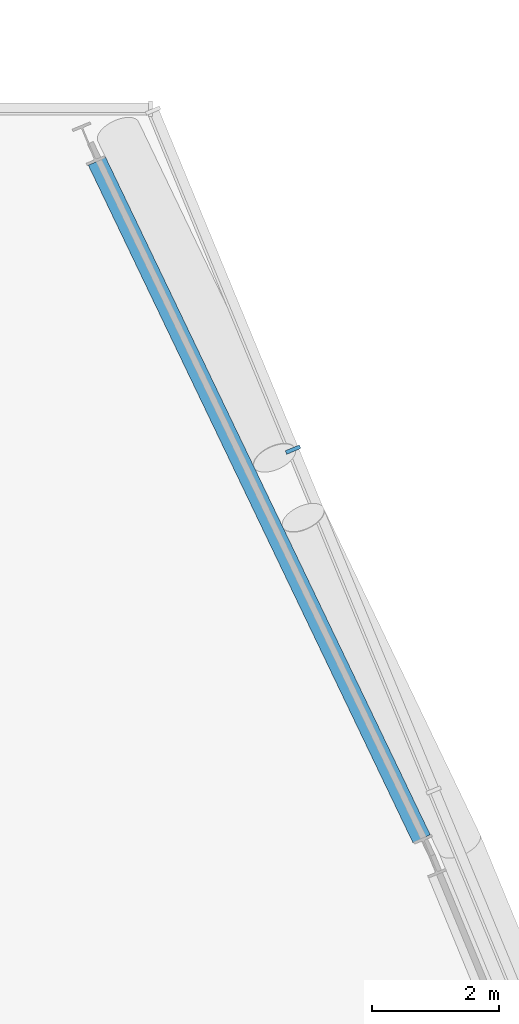
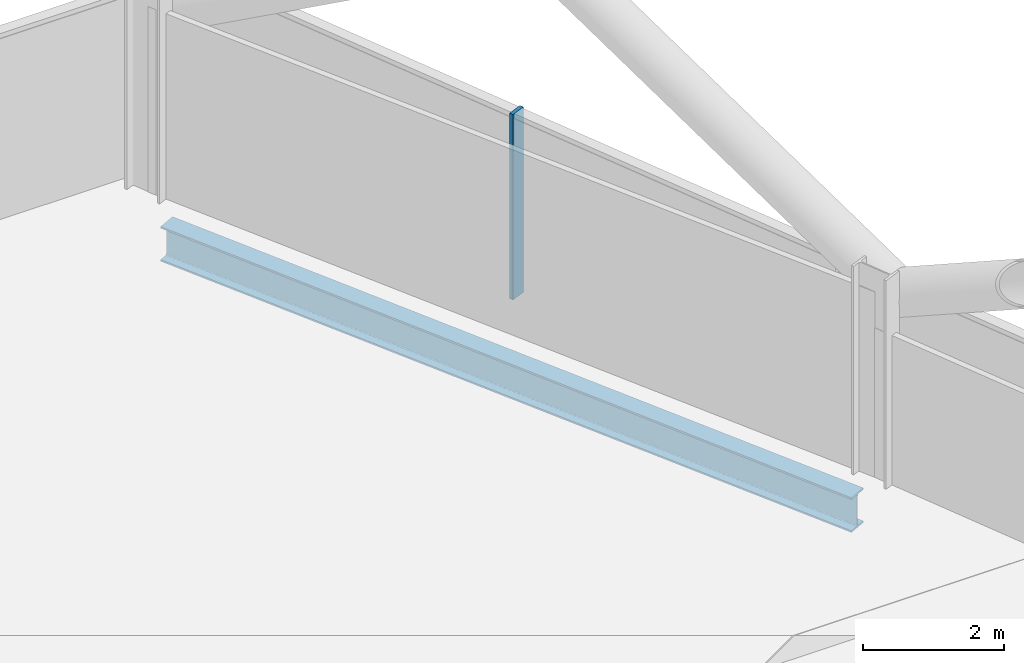
# One storey, part 12 of 26: 1 beam, 1 member, 1 element without a shape of its own.
"""IFC4 building model written with IfcOpenShell, lengths in metres."""

from ifc_helpers import new_model, si_unit, direction, frame, origin, origin_2d, place, context, subcontext, project, spatial, rectangle, i_section, extrude, material, material_profile, profile_set, type_object, element, aggregate, save


model = new_model("IFC4")

# Units and contexts
model_context = context("Model", 3, precision=1e-05, world=origin(), true_north=direction((0.0, 1.0)))
body_context = subcontext(model_context, "Body", "Model", "MODEL_VIEW")
ifc_project = project(units=[si_unit("LENGTHUNIT", "METRE"), si_unit("AREAUNIT", "SQUARE_METRE"), si_unit("VOLUMEUNIT", "CUBIC_METRE"), si_unit("PLANEANGLEUNIT", "RADIAN"), si_unit("MASSUNIT", "GRAM", prefix="KILO")], contexts=[model_context])

# Site, building, storey
site_placement = place(None, origin())
site = spatial("IfcSite", under=ifc_project, at=site_placement, CompositionType="ELEMENT")
building_placement = place(site_placement, origin())
building = spatial("IfcBuilding", under=site, at=building_placement, Name="Wharfspan Tower", CompositionType="ELEMENT")
storey_placement = place(building_placement, frame((0.0, 0.0, 184.300049)))
storey = spatial("IfcBuildingStorey", under=building, at=storey_placement, Name="L45", CompositionType="ELEMENT", Elevation=184.300049)

# Beam
ifc_material_1 = material(Name="Steel S355J2", Category="steel")
ifc_material_profile_1 = material_profile(ifc_material_1, i_section(OverallWidth=0.300049, OverallDepth=0.600098, WebThickness=0.015381, FlangeThickness=0.030029, FilletRadius=0.0271, at=origin_2d()))
ifc_profile_set_1 = profile_set([ifc_material_profile_1], Name="Steel S355J2")
beam_type = type_object("IfcBeamType", Name="Edge beam HEB 600", PredefinedType="SPANDREL", material=ifc_profile_set_1)
beam_placement = place(storey_placement, frame((73.721436, 30.495605, -0.699951), z_axis=(-0.432149, 0.901802, 0.0), x_axis=(-0.901802, -0.432149, 0.0)))
element("IfcBeam", 1, at=beam_placement, inside=storey, type_object=beam_type, Name="Edge beam L45 PE.2 to PE.3", PredefinedType="SPANDREL", context=body_context, shape_type="SweptSolid", body=[
    extrude(i_section(OverallWidth=0.300049, OverallDepth=0.600098, WebThickness=0.015381, FlangeThickness=0.030029, FilletRadius=0.0271, at=origin_2d()), origin(), (0.0, 0.0, 1.0), 11.841309),
])

# Curtain wall, member
ifc_material_2 = material(Name="Aluminium 6063-T6", Category="aluminium")
curtain_wall_type = type_object("IfcCurtainWallType", Name="CURTAIN WALL PROW AND END", PredefinedType="NOTDEFINED", material=ifc_material_2)
curtain_wall_placement = place(storey_placement, origin())
curtain_wall = element("IfcCurtainWall", 2, at=curtain_wall_placement, inside=storey, type_object=curtain_wall_type, Name="Curtain wall E", PredefinedType="NOTDEFINED")
ifc_material_profile_2 = material_profile(ifc_material_2, rectangle(XDim=0.23999, YDim=0.060059, at=origin_2d()))
ifc_profile_set_2 = profile_set([ifc_material_profile_2], Name="Aluminium 6063-T6")
member_type = type_object("IfcMemberType", Name="MULLION PROW AND END 60x240", PredefinedType="MULLION", material=ifc_profile_set_2)
member_placement = place(storey_placement, frame((71.69458, 36.628662, 0.0), z_axis=(0.0, 0.0, 1.0), x_axis=(-0.924325, -0.381602, 0.0)))
member = element("IfcMember", 3, at=member_placement, type_object=member_type, Name="Curtain wall E mullion 7", PredefinedType="MULLION", context=body_context, shape_type="SweptSolid", body=[
    extrude(rectangle(XDim=0.23999, YDim=0.060059, at=origin_2d()), origin(), (0.0, 0.0, 1.0), 3.199951),
])
aggregate(curtain_wall, [member])

save(model, "model.ifc")
